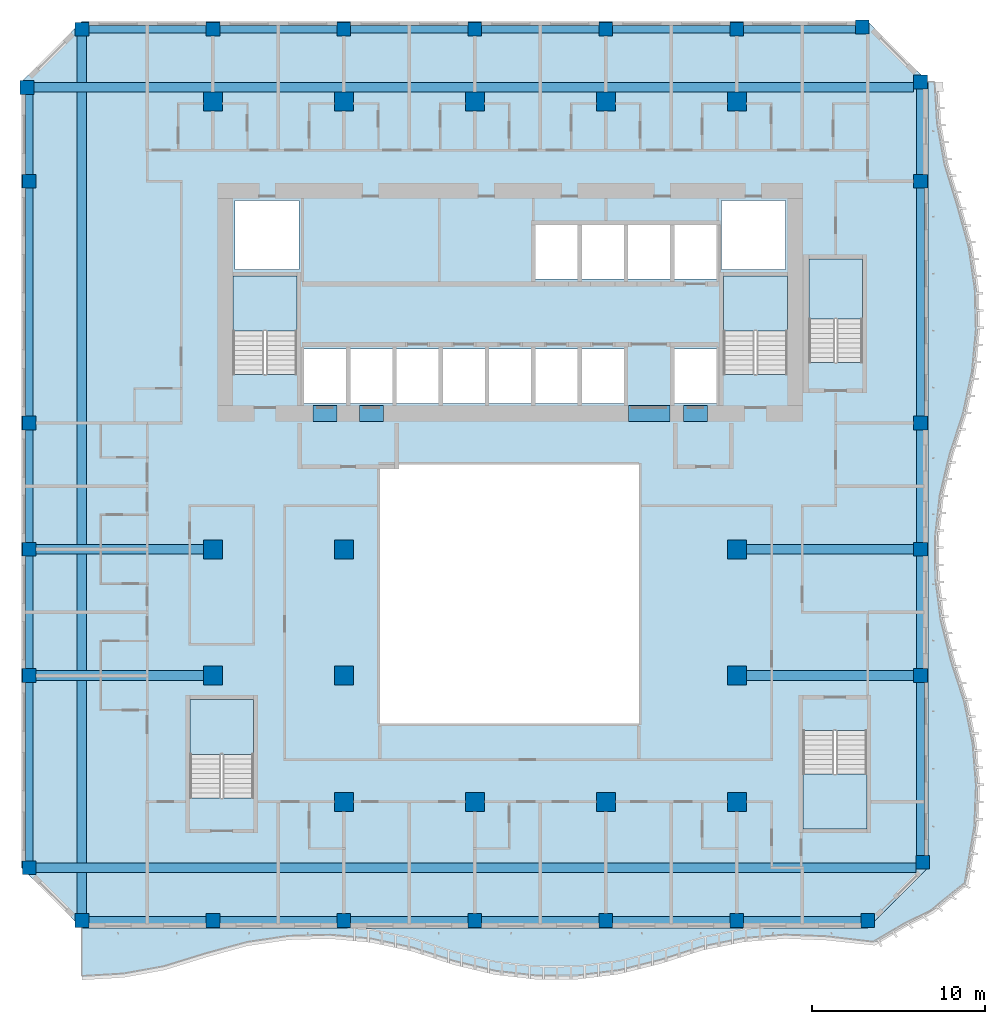
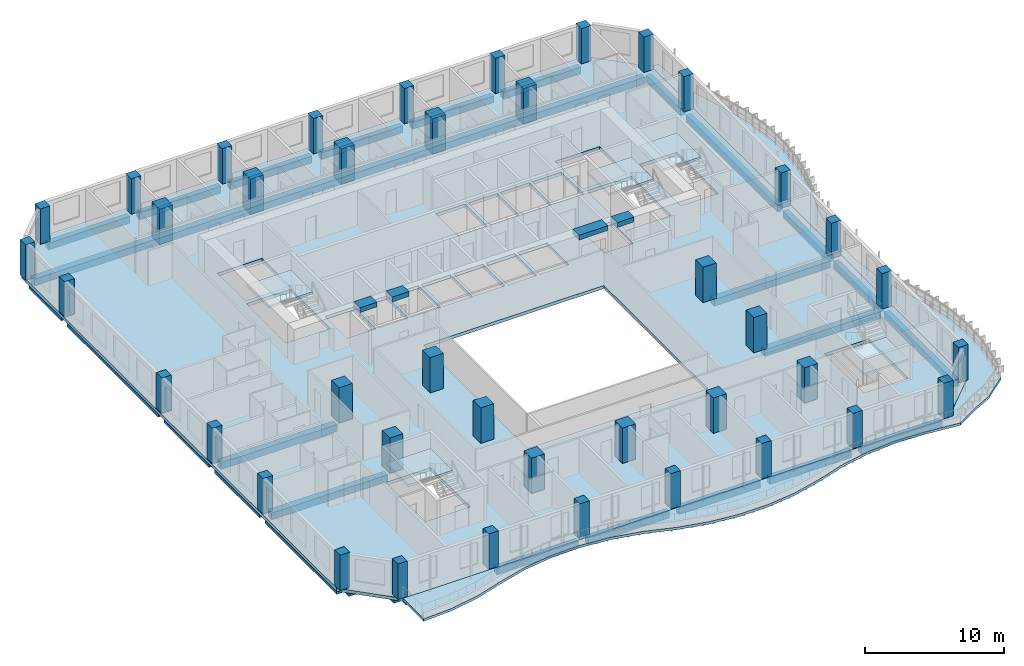
# One storey, part 1 of 21: 41 columns, 33 beams, 7 slabs, 5 elements without a shape of their own.
"""IFC4 building model written with IfcOpenShell, lengths in metres."""

from ifc_helpers import new_model, si_unit, direction, frame, origin, origin_2d, place, context, subcontext, project, spatial, polyline, rectangle, outline, extrude, source, transform, mapped, material, layer, layer_set, material_profile, profile_set, type_object, element, aggregate, save


model = new_model("IFC4")

# Units and contexts
model_context = context("Model", 3, precision=1e-05, world=origin(), true_north=direction((0.0, 1.0)))
body_context = subcontext(model_context, "Body", "Model", "MODEL_VIEW")
ifc_project = project(units=[si_unit("LENGTHUNIT", "METRE"), si_unit("AREAUNIT", "SQUARE_METRE"), si_unit("VOLUMEUNIT", "CUBIC_METRE"), si_unit("PLANEANGLEUNIT", "RADIAN"), si_unit("MASSUNIT", "GRAM", prefix="KILO")], contexts=[model_context])

# Site, building, storey
site_placement = place(None, origin())
site = spatial("IfcSite", under=ifc_project, at=site_placement, CompositionType="ELEMENT")
building_placement = place(site_placement, origin())
building = spatial("IfcBuilding", under=site, at=building_placement, Name="Kilnfold Tower and Market Hall", CompositionType="ELEMENT")
storey_placement = place(building_placement, frame((0.0, 0.0, 147.300048828125)))
storey = spatial("IfcBuildingStorey", under=building, at=storey_placement, Name="L33", CompositionType="ELEMENT", Elevation=147.300048828125)

# Columns
ifc_material_1 = material(Name="Concrete C70", Category="concrete")
ifc_material_profile_1 = material_profile(ifc_material_1, rectangle(XDim=0.800048828125, YDim=0.800048828125, at=origin_2d()), Name="RC 800x800")
ifc_profile_set_1 = profile_set([ifc_material_profile_1], Name="Concrete C70")
column_type_1 = type_object("IfcColumnType", Name="COLUMN 800X800 C70", PredefinedType="COLUMN", material=ifc_profile_set_1)
shared_shape_1 = source(origin(), body_context, "Body", "SweptSolid", [
    extrude(rectangle(XDim=0.800048828125, YDim=0.800048828125, at=origin_2d()), origin(), (0.0, 0.0, 1.0), 3.119873046875),
])
for number, where, z_axis, x_axis, name in (
    (1, (-26.931884765625, 27.431884765625, 0.0), (0.0, 0.0, 1.0), (1.0, 0.0, 0.0), "Column C-B4-1I"),
    (2, (-26.800048828125, -17.75, 0.0), (0.0, 0.0, 1.0), (1.0, 0.0, 0.0), "Column C-B4-1B"),
    (3, (-26.800048828125, -6.625, 0.0), (0.0, 0.0, 1.0), (1.0, 0.0, 0.0), "Column C-B4-1D"),
    (4, (-26.800048828125, 0.6875, 0.0), (0.0, 0.0, 1.0), (1.0, 0.0, 0.0), "Column C-B4-1E"),
    (5, (-26.800048828125, 8.0, 0.0), (0.0, 0.0, 1.0), (1.0, 0.0, 0.0), "Column C-B4-1F"),
    (6, (-26.800048828125, 22.0, 0.0), (0.0, 0.0, 1.0), (1.0, 0.0, 0.0), "Column C-B4-1G"),
    (7, (-23.75, -20.800048828125, 0.0), (0.0, 0.0, 1.0), (1.0, 0.0, 0.0), "Column C-B4-2A"),
    (8, (-23.75, 30.800048828125, 0.0), (0.0, 0.0, 1.0), (1.0, 0.0, 0.0), "Column C-B4-2J"),
    (9, (-16.166748046875, -20.800048828125, 0.0), (0.0, 0.0, 1.0), (1.0, 0.0, 0.0), "Column C-B4-3A"),
    (10, (-16.166748046875, 30.800048828125, 0.0), (0.0, 0.0, 1.0), (1.0, 0.0, 0.0), "Column C-B4-3J"),
    (11, (-8.583251953125, -20.800048828125, 0.0), (0.0, 0.0, 1.0), (1.0, 0.0, 0.0), "Column C-B4-4A"),
    (12, (-8.583251953125, 30.800048828125, 0.0), (0.0, 0.0, 1.0), (1.0, 0.0, 0.0), "Column C-B4-4J"),
    (13, (-1.0, -20.800048828125, 0.0), (0.0, 0.0, 1.0), (1.0, 0.0, 0.0), "Column C-B4-5A"),
    (14, (-1.0, 30.800048828125, 0.0), (0.0, 0.0, 1.0), (1.0, 0.0, 0.0), "Column C-B4-5J"),
    (15, (6.583251953125, -20.800048828125, 0.0), (0.0, 0.0, 1.0), (1.0, 0.0, 0.0), "Column C-B4-6A"),
    (16, (6.583251953125, 30.800048828125, 0.0), (0.0, 0.0, 1.0), (1.0, 0.0, 0.0), "Column C-B4-6J"),
    (17, (14.166748046875, -20.800048828125, 0.0), (0.0, 0.0, 1.0), (1.0, 0.0, 0.0), "Column C-B4-7A"),
    (18, (14.166748046875, 30.800048828125, 0.0), (0.0, 0.0, 1.0), (1.0, 0.0, 0.0), "Column C-B4-7J"),
    (19, (21.431884765625, 30.931884765625, 0.0), (0.0, 0.0, 1.0), (1.0, 0.0, 0.0), "Column C-B4-8J"),
    (20, (21.75, -20.800048828125, 0.0), (0.0, 0.0, 1.0), (1.0, 0.0, 0.0), "Column C-B4-8A"),
    (21, (24.800048828125, -6.625, 0.0), (0.0, 0.0, 1.0), (1.0, 0.0, 0.0), "Column C-B4-9D"),
    (22, (24.800048828125, 0.6875, 0.0), (0.0, 0.0, 1.0), (1.0, 0.0, 0.0), "Column C-B4-9E"),
    (23, (24.800048828125, 8.0, 0.0), (0.0, 0.0, 1.0), (1.0, 0.0, 0.0), "Column C-B4-9F"),
    (24, (24.800048828125, 22.0, 0.0), (0.0, 0.0, 1.0), (1.0, 0.0, 0.0), "Column C-B4-9G"),
    (25, (24.800048828125, 27.75, 0.0), (0.0, 0.0, 1.0), (1.0, 0.0, 0.0), "Column C-B4-9I"),
    (26, (24.931884765625, -17.431884765625, 0.0), (0.0, 0.0, 1.0), (1.0, 0.0, 0.0), "Column C-B4-9B"),
):
    element("IfcColumn", number, at=place(storey_placement, frame(where, z_axis=z_axis, x_axis=x_axis)), inside=storey, type_object=column_type_1, Name=name, PredefinedType="COLUMN", context=body_context, shape_type="MappedRepresentation", body=[
        mapped(shared_shape_1, transform((0.0, 0.0, 0.0))),
    ])
ifc_material_2 = material(Name="Concrete C70", Category="concrete")
ifc_material_profile_2 = material_profile(ifc_material_2, rectangle(XDim=1.10009765625, YDim=1.10009765625, at=origin_2d()), Name="RC 1100x1100")
ifc_profile_set_2 = profile_set([ifc_material_profile_2], Name="Concrete C70")
column_type_2 = type_object("IfcColumnType", Name="COLUMN 1100X1100 C70", PredefinedType="COLUMN", material=ifc_profile_set_2)
shared_shape_2 = source(origin(), body_context, "Body", "SweptSolid", [
    extrude(rectangle(XDim=1.10009765625, YDim=1.10009765625, at=origin_2d()), origin(), (0.0, 0.0, 1.0), 3.119873046875),
])
for number, where, z_axis, x_axis, name in (
    (27, (-16.166748046875, -6.625, 0.0), (0.0, 0.0, 1.0), (1.0, 0.0, 0.0), "Column C-B4-3D"),
    (28, (-16.166748046875, 0.6875, 0.0), (0.0, 0.0, 1.0), (1.0, 0.0, 0.0), "Column C-B4-3E"),
    (29, (-16.166748046875, 26.625, 0.0), (0.0, 0.0, 1.0), (1.0, 0.0, 0.0), "Column C-B4-3H"),
    (30, (-8.583251953125, -13.9375, 0.0), (0.0, 0.0, 1.0), (1.0, 0.0, 0.0), "Column C-B4-4C"),
    (31, (-8.583251953125, -6.625, 0.0), (0.0, 0.0, 1.0), (1.0, 0.0, 0.0), "Column C-B4-4D"),
    (32, (-8.583251953125, 0.6875, 0.0), (0.0, 0.0, 1.0), (1.0, 0.0, 0.0), "Column C-B4-4E"),
    (33, (-8.583251953125, 26.625, 0.0), (0.0, 0.0, 1.0), (1.0, 0.0, 0.0), "Column C-B4-4H"),
    (34, (-1.0, -13.9375, 0.0), (0.0, 0.0, 1.0), (1.0, 0.0, 0.0), "Column C-B4-5C"),
    (35, (-1.0, 26.625, 0.0), (0.0, 0.0, 1.0), (1.0, 0.0, 0.0), "Column C-B4-5H"),
    (36, (6.583251953125, -13.9375, 0.0), (0.0, 0.0, 1.0), (1.0, 0.0, 0.0), "Column C-B4-6C"),
    (37, (6.583251953125, 26.625, 0.0), (0.0, 0.0, 1.0), (1.0, 0.0, 0.0), "Column C-B4-6H"),
    (38, (14.166748046875, -13.9375, 0.0), (0.0, 0.0, 1.0), (1.0, 0.0, 0.0), "Column C-B4-7C"),
    (39, (14.166748046875, -6.625, 0.0), (0.0, 0.0, 1.0), (1.0, 0.0, 0.0), "Column C-B4-7D"),
    (40, (14.166748046875, 0.6875, 0.0), (0.0, 0.0, 1.0), (1.0, 0.0, 0.0), "Column C-B4-7E"),
    (41, (14.166748046875, 26.625, 0.0), (0.0, 0.0, 1.0), (1.0, 0.0, 0.0), "Column C-B4-7H"),
):
    element("IfcColumn", number, at=place(storey_placement, frame(where, z_axis=z_axis, x_axis=x_axis)), inside=storey, type_object=column_type_2, Name=name, PredefinedType="COLUMN", context=body_context, shape_type="MappedRepresentation", body=[
        mapped(shared_shape_2, transform((0.0, 0.0, 0.0))),
    ])

# Beams
ifc_material_3 = material(Name="Concrete C70", Category="concrete")
ifc_material_profile_3 = material_profile(ifc_material_3, rectangle(XDim=0.89990234375, YDim=0.419921875, at=origin_2d()), Name="RC 900x420")
ifc_profile_set_3 = profile_set([ifc_material_profile_3], Name="Concrete C70")
beam_type_1 = type_object("IfcBeamType", Name="COUPLING BEAM 900X420 C70", PredefinedType="BEAM", material=ifc_profile_set_3)
shared_shape_3 = source(origin(), body_context, "Body", "SweptSolid", [
    extrude(rectangle(XDim=0.89990234375, YDim=0.419921875, at=origin_2d()), origin(), (0.0, 0.0, 1.0), 1.400146484375),
])
beam_1_placement = place(storey_placement, frame((-10.3701171875, 8.550048828125, 2.909912109375), z_axis=(1.0, 0.0, 0.0), x_axis=(0.0, 1.0, 0.0)))
element("IfcBeam", 42, at=beam_1_placement, inside=storey, type_object=beam_type_1, Name="Coupling beam CB420-70-CORE.37", PredefinedType="BEAM", context=body_context, shape_type="MappedRepresentation", body=[
    mapped(shared_shape_3, transform((0.0, 0.0, 0.0))),
])
shared_shape_4 = source(origin(), body_context, "Body", "SweptSolid", [
    extrude(rectangle(XDim=0.89990234375, YDim=0.419921875, at=origin_2d()), origin(), (0.0, 0.0, 1.0), 1.39990234375),
])
for number, where, z_axis, x_axis, name in (
    (43, (-7.68994140625, 8.550048828125, 2.909912109375), (1.0, 0.0, 0.0), (0.0, 1.0, 0.0), "Coupling beam CB420-70-CORE.38"),
    (44, (11.070068359375, 8.550048828125, 2.909912109375), (1.0, 0.0, 0.0), (0.0, 1.0, 0.0), "Coupling beam CB420-70-CORE.40"),
):
    element("IfcBeam", number, at=place(storey_placement, frame(where, z_axis=z_axis, x_axis=x_axis)), inside=storey, type_object=beam_type_1, Name=name, PredefinedType="BEAM", context=body_context, shape_type="MappedRepresentation", body=[
        mapped(shared_shape_4, transform((0.0, 0.0, 0.0))),
    ])
shared_shape_5 = source(origin(), body_context, "Body", "SweptSolid", [
    extrude(rectangle(XDim=0.89990234375, YDim=0.419921875, at=origin_2d()), origin(), (0.0, 0.0, 1.0), 2.400146484375),
])
beam_2_placement = place(storey_placement, frame((7.889892578125, 8.550048828125, 2.909912109375), z_axis=(1.0, 0.0, 0.0), x_axis=(0.0, 1.0, 0.0)))
element("IfcBeam", 45, at=beam_2_placement, inside=storey, type_object=beam_type_1, Name="Coupling beam CB420-70-CORE.39", PredefinedType="BEAM", context=body_context, shape_type="MappedRepresentation", body=[
    mapped(shared_shape_5, transform((0.0, 0.0, 0.0))),
])
ifc_material_4 = material(Name="Concrete C45", Category="concrete")
ifc_material_profile_4 = material_profile(ifc_material_4, rectangle(XDim=0.449951171875, YDim=0.60009765625, at=origin_2d()), Name="RC 450x600")
ifc_profile_set_4 = profile_set([ifc_material_profile_4], Name="Concrete C45")
beam_type_2 = type_object("IfcBeamType", Name="EDGE BEAM 450X600 C45", PredefinedType="BEAM", material=ifc_profile_set_4)
shared_shape_6 = source(origin(), body_context, "Body", "SweptSolid", [
    extrude(rectangle(XDim=0.449951171875, YDim=0.60009765625, at=origin_2d()), origin(), (0.0, 0.0, 1.0), 6.783447265625),
])
for number, where, z_axis, x_axis, name in (
    (46, (-23.35009765625, -20.800048828125, -0.580078125), (1.0, 0.0, 0.0), (0.0, 1.0, 0.0), "Beam EB600-B4.76"),
    (47, (-8.183349609375, -20.800048828125, -0.580078125), (1.0, 0.0, 0.0), (0.0, 1.0, 0.0), "Beam EB600-B4.78"),
    (48, (-0.60009765625, -20.800048828125, -0.580078125), (1.0, 0.0, 0.0), (0.0, 1.0, 0.0), "Beam EB600-B4.79"),
    (49, (14.566650390625, -20.800048828125, -0.580078125), (1.0, 0.0, 0.0), (0.0, 1.0, 0.0), "Beam EB600-B4.81"),
    (50, (-23.35009765625, 30.800048828125, -0.580078125), (1.0, 0.0, 0.0), (0.0, 1.0, 0.0), "Beam EB600-B4.88"),
    (51, (-8.183349609375, 30.800048828125, -0.580078125), (1.0, 0.0, 0.0), (0.0, 1.0, 0.0), "Beam EB600-B4.90"),
    (52, (-0.60009765625, 30.800048828125, -0.580078125), (1.0, 0.0, 0.0), (0.0, 1.0, 0.0), "Beam EB600-B4.91"),
):
    element("IfcBeam", number, at=place(storey_placement, frame(where, z_axis=z_axis, x_axis=x_axis)), inside=storey, type_object=beam_type_2, Name=name, PredefinedType="BEAM", context=body_context, shape_type="MappedRepresentation", body=[
        mapped(shared_shape_6, transform((0.0, 0.0, 0.0))),
    ])
shared_shape_7 = source(origin(), body_context, "Body", "SweptSolid", [
    extrude(rectangle(XDim=0.449951171875, YDim=0.60009765625, at=origin_2d()), origin(), (0.0, 0.0, 1.0), 6.783203125),
])
for number, where, z_axis, x_axis, name in (
    (53, (-15.7666015625, -20.800048828125, -0.580078125), (1.0, 0.0, 0.0), (0.0, 1.0, 0.0), "Beam EB600-B4.77"),
    (54, (6.9833984375, -20.800048828125, -0.580078125), (1.0, 0.0, 0.0), (0.0, 1.0, 0.0), "Beam EB600-B4.80"),
    (55, (-15.7666015625, 30.800048828125, -0.580078125), (1.0, 0.0, 0.0), (0.0, 1.0, 0.0), "Beam EB600-B4.89"),
    (56, (6.9833984375, 30.800048828125, -0.580078125), (1.0, 0.0, 0.0), (0.0, 1.0, 0.0), "Beam EB600-B4.92"),
):
    element("IfcBeam", number, at=place(storey_placement, frame(where, z_axis=z_axis, x_axis=x_axis)), inside=storey, type_object=beam_type_2, Name=name, PredefinedType="BEAM", context=body_context, shape_type="MappedRepresentation", body=[
        mapped(shared_shape_7, transform((0.0, 0.0, 0.0))),
    ])
ifc_material_5 = material(Name="Concrete C45", Category="concrete")
ifc_material_profile_5 = material_profile(ifc_material_5, rectangle(XDim=0.550048828125, YDim=0.60009765625, at=origin_2d()), Name="RC 550x600")
ifc_profile_set_5 = profile_set([ifc_material_profile_5], Name="Concrete C45")
beam_type_3 = type_object("IfcBeamType", Name="BEAM 550X600 C45", PredefinedType="BEAM", material=ifc_profile_set_5)
shared_shape_8 = source(origin(), body_context, "Body", "SweptSolid", [
    extrude(rectangle(XDim=0.550048828125, YDim=0.60009765625, at=origin_2d()), origin(), (0.0, 0.0, 1.0), 50.931640625),
])
for number, where, z_axis, x_axis, name in (
    (57, (-26.39990234375, -17.75, -0.580078125), (1.0, 0.0, 0.0), (0.0, 1.0, 0.0), "Beam BB600-B4.82"),
    (58, (-26.53173828125, 27.429931640625, -0.580078125), (1.0, 0.0, 0.0), (0.0, 1.0, 0.0), "Beam BB600-B4.87"),
):
    element("IfcBeam", number, at=place(storey_placement, frame(where, z_axis=z_axis, x_axis=x_axis)), inside=storey, type_object=beam_type_3, Name=name, PredefinedType="BEAM", context=body_context, shape_type="MappedRepresentation", body=[
        mapped(shared_shape_8, transform((0.0, 0.0, 0.0))),
    ])
shared_shape_9 = source(origin(), body_context, "Body", "SweptSolid", [
    extrude(rectangle(XDim=0.550048828125, YDim=0.60009765625, at=origin_2d()), origin(), (0.0, 0.0, 1.0), 9.68310546875),
])
for number, where, z_axis, x_axis, name in (
    (59, (-26.39990234375, -6.6201171875, -0.580078125), (1.0, 0.0, 0.0), (0.0, 1.0, 0.0), "Beam BB600-B4.83"),
    (60, (14.716796875, -6.6201171875, -0.580078125), (1.0, 0.0, 0.0), (0.0, 1.0, 0.0), "Beam BB600-B4.84"),
    (61, (-26.39990234375, 0.68994140625, -0.580078125), (1.0, 0.0, 0.0), (0.0, 1.0, 0.0), "Beam BB600-B4.85"),
    (62, (14.716796875, 0.68994140625, -0.580078125), (1.0, 0.0, 0.0), (0.0, 1.0, 0.0), "Beam BB600-B4.86"),
):
    element("IfcBeam", number, at=place(storey_placement, frame(where, z_axis=z_axis, x_axis=x_axis)), inside=storey, type_object=beam_type_3, Name=name, PredefinedType="BEAM", context=body_context, shape_type="MappedRepresentation", body=[
        mapped(shared_shape_9, transform((0.0, 0.0, 0.0))),
    ])
shared_shape_10 = source(origin(), body_context, "Body", "SweptSolid", [
    extrude(rectangle(XDim=0.449951171875, YDim=0.60009765625, at=origin_2d()), origin(), (0.0, 0.0, 1.0), 6.465087890625),
])
beam_3_placement = place(storey_placement, frame((14.566650390625, 30.800048828125, -0.580078125), z_axis=(1.0, 0.0, 0.0), x_axis=(0.0, 1.0, 0.0)))
element("IfcBeam", 63, at=beam_3_placement, inside=storey, type_object=beam_type_2, Name="Beam EB600-B4.93", PredefinedType="BEAM", context=body_context, shape_type="MappedRepresentation", body=[
    mapped(shared_shape_10, transform((0.0, 0.0, 0.0))),
])
shared_shape_11 = source(origin(), body_context, "Body", "SweptSolid", [
    extrude(rectangle(XDim=0.449951171875, YDim=0.60009765625, at=origin_2d()), origin(), (0.0, 0.0, 1.0), 10.3251953125),
])
beam_4_placement = place(storey_placement, frame((-26.800048828125, -17.35009765625, -0.580078125), z_axis=(0.0, 1.0, 0.0), x_axis=(-1.0, 0.0, 0.0)))
element("IfcBeam", 64, at=beam_4_placement, inside=storey, type_object=beam_type_2, Name="Beam EB600-B4.94", PredefinedType="BEAM", context=body_context, shape_type="MappedRepresentation", body=[
    mapped(shared_shape_11, transform((0.0, 0.0, 0.0))),
])
shared_shape_12 = source(origin(), body_context, "Body", "SweptSolid", [
    extrude(rectangle(XDim=0.449951171875, YDim=0.60009765625, at=origin_2d()), origin(), (0.0, 0.0, 1.0), 6.5126953125),
])
for number, where, z_axis, x_axis, name in (
    (65, (-26.800048828125, -6.22509765625, -0.580078125), (0.0, 1.0, 0.0), (-1.0, 0.0, 0.0), "Beam EB600-B4.95"),
    (66, (-26.800048828125, 1.08740234375, -0.580078125), (0.0, 1.0, 0.0), (-1.0, 0.0, 0.0), "Beam EB600-B4.96"),
    (67, (24.800048828125, -6.22509765625, -0.580078125), (0.0, 1.0, 0.0), (-1.0, 0.0, 0.0), "Beam EB600-B4.101"),
    (68, (24.800048828125, 1.08740234375, -0.580078125), (0.0, 1.0, 0.0), (-1.0, 0.0, 0.0), "Beam EB600-B4.102"),
):
    element("IfcBeam", number, at=place(storey_placement, frame(where, z_axis=z_axis, x_axis=x_axis)), inside=storey, type_object=beam_type_2, Name=name, PredefinedType="BEAM", context=body_context, shape_type="MappedRepresentation", body=[
        mapped(shared_shape_12, transform((0.0, 0.0, 0.0))),
    ])
shared_shape_13 = source(origin(), body_context, "Body", "SweptSolid", [
    extrude(rectangle(XDim=0.449951171875, YDim=0.60009765625, at=origin_2d()), origin(), (0.0, 0.0, 1.0), 13.2001953125),
])
for number, where, z_axis, x_axis, name in (
    (69, (-26.800048828125, 8.39990234375, -0.580078125), (0.0, 1.0, 0.0), (-1.0, 0.0, 0.0), "Beam EB600-B4.97"),
    (70, (24.800048828125, 8.39990234375, -0.580078125), (0.0, 1.0, 0.0), (-1.0, 0.0, 0.0), "Beam EB600-B4.103"),
):
    element("IfcBeam", number, at=place(storey_placement, frame(where, z_axis=z_axis, x_axis=x_axis)), inside=storey, type_object=beam_type_2, Name=name, PredefinedType="BEAM", context=body_context, shape_type="MappedRepresentation", body=[
        mapped(shared_shape_13, transform((0.0, 0.0, 0.0))),
    ])
shared_shape_14 = source(origin(), body_context, "Body", "SweptSolid", [
    extrude(rectangle(XDim=0.449951171875, YDim=0.60009765625, at=origin_2d()), origin(), (0.0, 0.0, 1.0), 4.6318359375),
])
beam_5_placement = place(storey_placement, frame((-26.800048828125, 22.39990234375, -0.580078125), z_axis=(0.0, 1.0, 0.0), x_axis=(-1.0, 0.0, 0.0)))
element("IfcBeam", 71, at=beam_5_placement, inside=storey, type_object=beam_type_2, Name="Beam EB600-B4.98", PredefinedType="BEAM", context=body_context, shape_type="MappedRepresentation", body=[
    mapped(shared_shape_14, transform((0.0, 0.0, 0.0))),
])
shared_shape_15 = source(origin(), body_context, "Body", "SweptSolid", [
    extrude(rectangle(XDim=0.550048828125, YDim=0.60009765625, at=origin_2d()), origin(), (0.0, 0.0, 1.0), 50.7998046875),
])
beam_6_placement = place(storey_placement, frame((-23.75, -20.39990234375, -0.580078125), z_axis=(0.0, 1.0, 0.0), x_axis=(-1.0, 0.0, 0.0)))
element("IfcBeam", 72, at=beam_6_placement, inside=storey, type_object=beam_type_3, Name="Beam BB600-B4.99", PredefinedType="BEAM", context=body_context, shape_type="MappedRepresentation", body=[
    mapped(shared_shape_15, transform((0.0, 0.0, 0.0))),
])
shared_shape_16 = source(origin(), body_context, "Body", "SweptSolid", [
    extrude(rectangle(XDim=0.449951171875, YDim=0.60009765625, at=origin_2d()), origin(), (0.0, 0.0, 1.0), 10.0068359375),
])
beam_7_placement = place(storey_placement, frame((24.800048828125, -17.03173828125, -0.580078125), z_axis=(0.0, 1.0, 0.0), x_axis=(-1.0, 0.0, 0.0)))
element("IfcBeam", 73, at=beam_7_placement, inside=storey, type_object=beam_type_2, Name="Beam EB600-B4.100", PredefinedType="BEAM", context=body_context, shape_type="MappedRepresentation", body=[
    mapped(shared_shape_16, transform((0.0, 0.0, 0.0))),
])
shared_shape_17 = source(origin(), body_context, "Body", "SweptSolid", [
    extrude(rectangle(XDim=0.449951171875, YDim=0.60009765625, at=origin_2d()), origin(), (0.0, 0.0, 1.0), 4.9501953125),
])
beam_8_placement = place(storey_placement, frame((24.800048828125, 22.39990234375, -0.580078125), z_axis=(0.0, 1.0, 0.0), x_axis=(-1.0, 0.0, 0.0)))
element("IfcBeam", 74, at=beam_8_placement, inside=storey, type_object=beam_type_2, Name="Beam EB600-B4.104", PredefinedType="BEAM", context=body_context, shape_type="MappedRepresentation", body=[
    mapped(shared_shape_17, transform((0.0, 0.0, 0.0))),
])

# Slabs
ifc_material_6 = material(Name="Concrete C45", Category="concrete")
ifc_layer_1 = layer(ifc_material_6, 0.280029296875)
ifc_layer_set_1 = layer_set([ifc_layer_1], Name="Concrete C45")
slab_type_1 = type_object("IfcSlabType", Name="FLOOR SLAB 280", PredefinedType="FLOOR", material=ifc_layer_set_1)
shared_shape_18 = source(origin(), body_context, "Body", "SweptSolid", [
    extrude(outline(polyline([(-23.75, -21.25), (21.75, -21.25), (25.25, -17.75), (25.25, 27.75), (21.75, 31.25), (-23.75, 31.25), (-27.25, 27.75), (-27.25, -17.75), (-23.75, -21.25)]), holes=[polyline([(-13.800537109375, -13.699462890625), (-17.49951171875, -13.699462890625), (-17.49951171875, -8.00048828125), (-13.800537109375, -8.00048828125), (-13.800537109375, -13.699462890625)]), polyline([(-11.300537109375, 10.800537109375), (-14.99951171875, 10.800537109375), (-14.99951171875, 16.49951171875), (-11.300537109375, 16.49951171875), (-11.300537109375, 10.800537109375)]), polyline([(-14.875, 16.875), (-14.875, 20.875), (-11.175048828125, 20.875), (-11.175048828125, 16.875), (-14.875, 16.875)]), polyline([(-8.455078125, 9.125), (-10.885009765625, 9.125), (-10.885009765625, 12.27490234375), (-8.455078125, 12.27490234375), (-8.455078125, 9.125)]), polyline([(-8.205078125, 9.125), (-8.205078125, 12.27490234375), (-5.77490234375, 12.27490234375), (-5.77490234375, 9.125), (-8.205078125, 9.125)]), polyline([(8.5, -9.39990234375), (-6.5, -9.39990234375), (-6.5, 5.60009765625), (8.5, 5.60009765625), (8.5, -9.39990234375)]), polyline([(-5.52490234375, 9.125), (-5.52490234375, 12.27490234375), (-3.094970703125, 12.27490234375), (-3.094970703125, 9.125), (-5.52490234375, 9.125)]), polyline([(-0.4150390625, 9.125), (-2.844970703125, 9.125), (-2.844970703125, 12.27490234375), (-0.4150390625, 12.27490234375), (-0.4150390625, 9.125)]), polyline([(2.264892578125, 9.125), (-0.1650390625, 9.125), (-0.1650390625, 12.27490234375), (2.264892578125, 12.27490234375), (2.264892578125, 9.125)]), polyline([(4.945068359375, 9.125), (2.514892578125, 9.125), (2.514892578125, 12.27490234375), (4.945068359375, 12.27490234375), (4.945068359375, 9.125)]), polyline([(2.514892578125, 16.324951171875), (2.514892578125, 19.47509765625), (4.945068359375, 19.47509765625), (4.945068359375, 16.324951171875), (2.514892578125, 16.324951171875)]), polyline([(7.625, 9.125), (5.195068359375, 9.125), (5.195068359375, 12.27490234375), (7.625, 12.27490234375), (7.625, 9.125)]), polyline([(7.625, 16.324951171875), (5.195068359375, 16.324951171875), (5.195068359375, 19.47509765625), (7.625, 19.47509765625), (7.625, 16.324951171875)]), polyline([(10.304931640625, 16.324951171875), (7.875, 16.324951171875), (7.875, 19.47509765625), (10.304931640625, 19.47509765625), (10.304931640625, 16.324951171875)]), polyline([(10.554931640625, 9.125), (10.554931640625, 12.27490234375), (12.985107421875, 12.27490234375), (12.985107421875, 9.125), (10.554931640625, 9.125)]), polyline([(10.554931640625, 16.324951171875), (10.554931640625, 19.47509765625), (12.985107421875, 19.47509765625), (12.985107421875, 16.324951171875), (10.554931640625, 16.324951171875)]), polyline([(13.27490234375, 16.875), (13.27490234375, 20.875), (16.97509765625, 20.875), (16.97509765625, 16.875), (13.27490234375, 16.875)]), polyline([(13.400390625, 10.800537109375), (13.400390625, 16.49951171875), (17.099609375, 16.49951171875), (17.099609375, 10.800537109375), (13.400390625, 10.800537109375)]), polyline([(18.00048828125, -9.800537109375), (21.699462890625, -9.800537109375), (21.699462890625, -15.49951171875), (18.00048828125, -15.49951171875), (18.00048828125, -9.800537109375)]), polyline([(21.449462890625, 11.50048828125), (18.3505859375, 11.50048828125), (18.3505859375, 17.49951171875), (21.449462890625, 17.49951171875), (21.449462890625, 11.50048828125)])]), origin(), (0.0, 0.0, 1.0), 0.280029296875),
])
slab_1_placement = place(storey_placement, frame((0.0, 0.0, -0.280029296875)))
element("IfcSlab", 75, at=slab_1_placement, inside=storey, type_object=slab_type_1, Name="Floor slab L33", PredefinedType="FLOOR", context=body_context, shape_type="MappedRepresentation", body=[
    mapped(shared_shape_18, transform((0.0, 0.0, 0.0))),
])
ifc_material_7 = material(Name="Concrete C40/50", Category="concrete")
ifc_layer_2 = layer(ifc_material_7, 0.219970703125)
ifc_layer_set_2 = layer_set([ifc_layer_2], Name="Concrete C40/50")
slab_type_2 = type_object("IfcSlabType", Name="BALCONY SLAB 220", PredefinedType="FLOOR", material=ifc_layer_set_2)
shared_shape_19 = source(origin(), body_context, "Body", "SweptSolid", [
    extrude(outline(polyline([(-23.75, -21.25), (21.75, -21.25), (25.25, -17.75), (25.25, 27.75), (25.85009765625, 27.75), (25.99267578125, 25.355224609375), (26.427001953125, 22.96044921875), (27.166259765625, 20.56591796875), (27.822998046875, 18.171142578125), (28.17529296875, 15.7763671875), (28.2392578125, 13.381591796875), (28.01708984375, 10.98681640625), (27.49951171875, 8.592041015625), (26.720458984375, 6.197509765625), (26.150146484375, 3.802490234375), (25.87841796875, 1.407958984375), (25.893310546875, -0.98681640625), (26.195556640625, -3.381591796875), (26.79833984375, -5.7763671875), (27.568115234375, -8.171142578125), (28.053955078125, -10.56591796875), (28.245849609375, -12.96044921875), (28.152099609375, -15.355224609375), (27.577392578125, -18.714111328125), (25.552734375, -20.385986328125), (23.992919921875, -21.159423828125), (22.163818359375, -22.248779296875), (19.355224609375, -21.94775390625), (16.96044921875, -21.854248046875), (14.56591796875, -22.046142578125), (12.171142578125, -22.531982421875), (9.7763671875, -23.3017578125), (7.381591796875, -23.904541015625), (4.98681640625, -24.20654296875), (2.592041015625, -24.221435546875), (0.197509765625, -23.94970703125), (-2.197509765625, -23.379638671875), (-4.592041015625, -22.600341796875), (-6.98681640625, -22.082763671875), (-9.381591796875, -21.86083984375), (-11.7763671875, -21.924560546875), (-14.171142578125, -22.27685546875), (-16.56591796875, -22.933837890625), (-18.96044921875, -23.673095703125), (-21.355224609375, -24.107421875), (-23.75, -24.25), (-23.75, -21.25)])), origin(), (0.0, 0.0, 1.0), 0.219970703125),
])
slab_2_placement = place(storey_placement, frame((0.0, 0.0, -0.219970703125)))
element("IfcSlab", 76, at=slab_2_placement, inside=storey, type_object=slab_type_2, Name="Balcony slab L33", PredefinedType="FLOOR", context=body_context, shape_type="MappedRepresentation", body=[
    mapped(shared_shape_19, transform((0.0, 0.0, 0.0))),
])

# Stair, slab
ifc_material_8 = material(Name="Concrete C40/50", Category="concrete")
stair_type_1 = type_object("IfcStairType", Name="CORE STAIR 1800", PredefinedType="HALF_TURN_STAIR", material=ifc_material_8)
stair_1_placement = place(storey_placement, origin())
stair_1 = element("IfcStair", 77, at=stair_1_placement, inside=storey, type_object=stair_type_1, Name="L33 ST1", PredefinedType="HALF_TURN_STAIR")
ifc_material_9 = material(Name="Concrete C40/50", Category="concrete")
ifc_layer_3 = layer(ifc_material_9, 0.199951171875)
ifc_layer_set_3 = layer_set([ifc_layer_3], Name="Concrete C40/50")
slab_type_3 = type_object("IfcSlabType", Name="CORE STAIR LANDING 200", PredefinedType="LANDING", material=ifc_layer_set_3)
shared_shape_20 = source(origin(), body_context, "Body", "SweptSolid", [
    extrude(outline(polyline([(-11.300048828125, 13.320068359375), (-11.300048828125, 16.5), (-15.0, 16.5), (-15.0, 13.320068359375), (-11.300048828125, 13.320068359375)])), origin(), (0.0, 0.0, 1.0), 0.199951171875),
])
slab_3_placement = place(storey_placement, frame((0.0, 0.0, 1.5)))
slab_3 = element("IfcSlab", 78, at=slab_3_placement, type_object=slab_type_3, Name="ST1 landing 1", PredefinedType="LANDING", context=body_context, shape_type="MappedRepresentation", body=[
    mapped(shared_shape_20, transform((0.0, 0.0, 0.0))),
])
aggregate(stair_1, [slab_3])

stair_2_placement = place(storey_placement, origin())
stair_2 = element("IfcStair", 79, at=stair_2_placement, inside=storey, type_object=stair_type_1, Name="L33 ST2", PredefinedType="HALF_TURN_STAIR")
shared_shape_21 = source(origin(), body_context, "Body", "SweptSolid", [
    extrude(outline(polyline([(17.10009765625, 13.320068359375), (17.10009765625, 16.5), (13.39990234375, 16.5), (13.39990234375, 13.320068359375), (17.10009765625, 13.320068359375)])), origin(), (0.0, 0.0, 1.0), 0.199951171875),
])
slab_4_placement = place(storey_placement, frame((0.0, 0.0, 1.5)))
slab_4 = element("IfcSlab", 80, at=slab_4_placement, type_object=slab_type_3, Name="ST2 landing 1", PredefinedType="LANDING", context=body_context, shape_type="MappedRepresentation", body=[
    mapped(shared_shape_21, transform((0.0, 0.0, 0.0))),
])
aggregate(stair_2, [slab_4])

stair_3_placement = place(storey_placement, origin())
stair_3 = element("IfcStair", 81, at=stair_3_placement, inside=storey, type_object=stair_type_1, Name="L33 ST3", PredefinedType="HALF_TURN_STAIR")
shared_shape_22 = source(origin(), body_context, "Body", "SweptSolid", [
    extrude(outline(polyline([(-13.800048828125, -11.179931640625), (-13.800048828125, -8.0), (-17.5, -8.0), (-17.5, -11.179931640625), (-13.800048828125, -11.179931640625)])), origin(), (0.0, 0.0, 1.0), 0.199951171875),
])
slab_5_placement = place(storey_placement, frame((0.0, 0.0, 1.5)))
slab_5 = element("IfcSlab", 82, at=slab_5_placement, type_object=slab_type_3, Name="ST3 landing 1", PredefinedType="LANDING", context=body_context, shape_type="MappedRepresentation", body=[
    mapped(shared_shape_22, transform((0.0, 0.0, 0.0))),
])
aggregate(stair_3, [slab_5])

stair_4_placement = place(storey_placement, origin())
stair_4 = element("IfcStair", 83, at=stair_4_placement, inside=storey, type_object=stair_type_1, Name="L33 ST4", PredefinedType="HALF_TURN_STAIR")
shared_shape_23 = source(origin(), body_context, "Body", "SweptSolid", [
    extrude(outline(polyline([(18.0, -12.320068359375), (18.0, -15.5), (21.699951171875, -15.5), (21.699951171875, -12.320068359375), (18.0, -12.320068359375)])), origin(), (0.0, 0.0, 1.0), 0.199951171875),
])
slab_6_placement = place(storey_placement, frame((0.0, 0.0, 1.5)))
slab_6 = element("IfcSlab", 84, at=slab_6_placement, type_object=slab_type_3, Name="ST4 landing 1", PredefinedType="LANDING", context=body_context, shape_type="MappedRepresentation", body=[
    mapped(shared_shape_23, transform((0.0, 0.0, 0.0))),
])
aggregate(stair_4, [slab_6])

ifc_material_10 = material(Name="Concrete C40/50", Category="concrete")
stair_type_2 = type_object("IfcStairType", Name="CORE STAIR 1500", PredefinedType="HALF_TURN_STAIR", material=ifc_material_10)
stair_5_placement = place(storey_placement, origin())
stair_5 = element("IfcStair", 85, at=stair_5_placement, inside=storey, type_object=stair_type_2, Name="L33 ST5", PredefinedType="HALF_TURN_STAIR")
shared_shape_24 = source(origin(), body_context, "Body", "SweptSolid", [
    extrude(outline(polyline([(21.449951171875, 14.02001953125), (21.449951171875, 17.5), (18.35009765625, 17.5), (18.35009765625, 14.02001953125), (21.449951171875, 14.02001953125)])), origin(), (0.0, 0.0, 1.0), 0.199951171875),
])
slab_7_placement = place(storey_placement, frame((0.0, 0.0, 1.5)))
slab_7 = element("IfcSlab", 86, at=slab_7_placement, type_object=slab_type_3, Name="ST5 landing 1", PredefinedType="LANDING", context=body_context, shape_type="MappedRepresentation", body=[
    mapped(shared_shape_24, transform((0.0, 0.0, 0.0))),
])
aggregate(stair_5, [slab_7])

save(model, "model.ifc")
